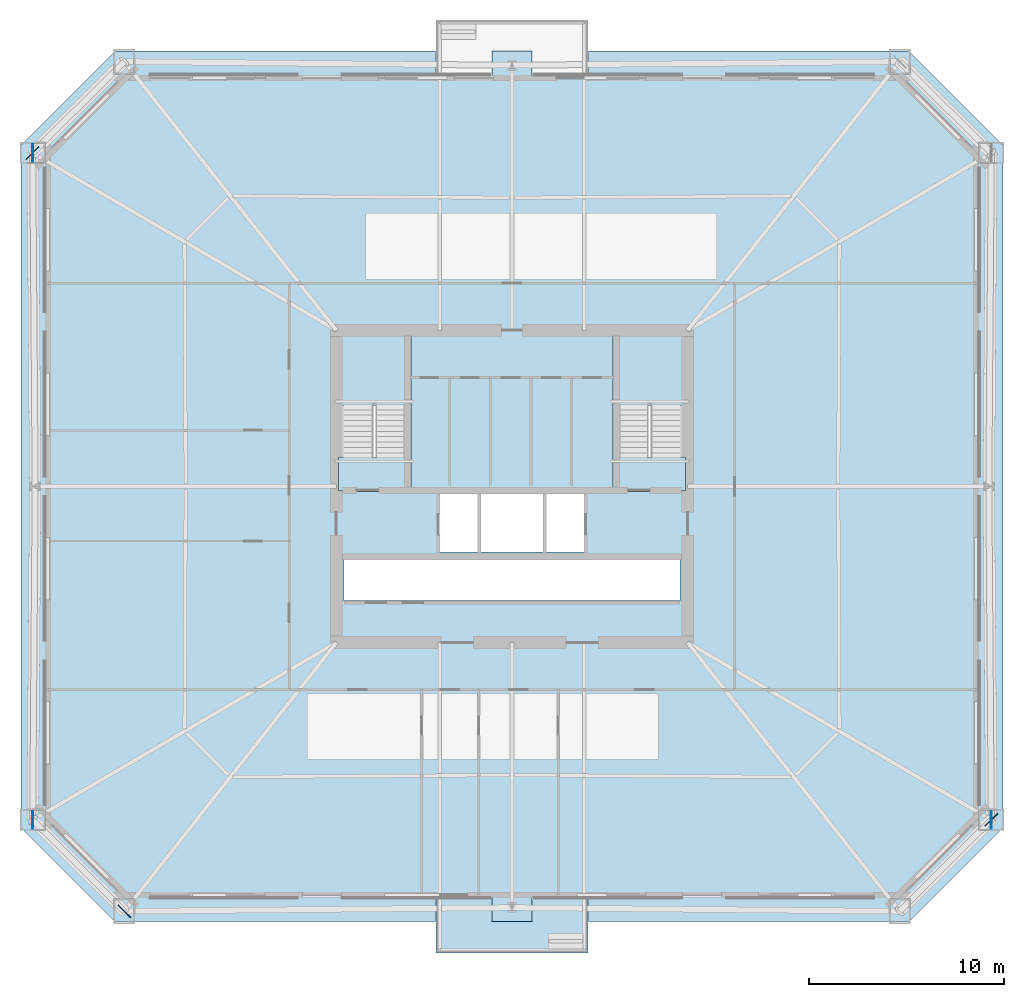
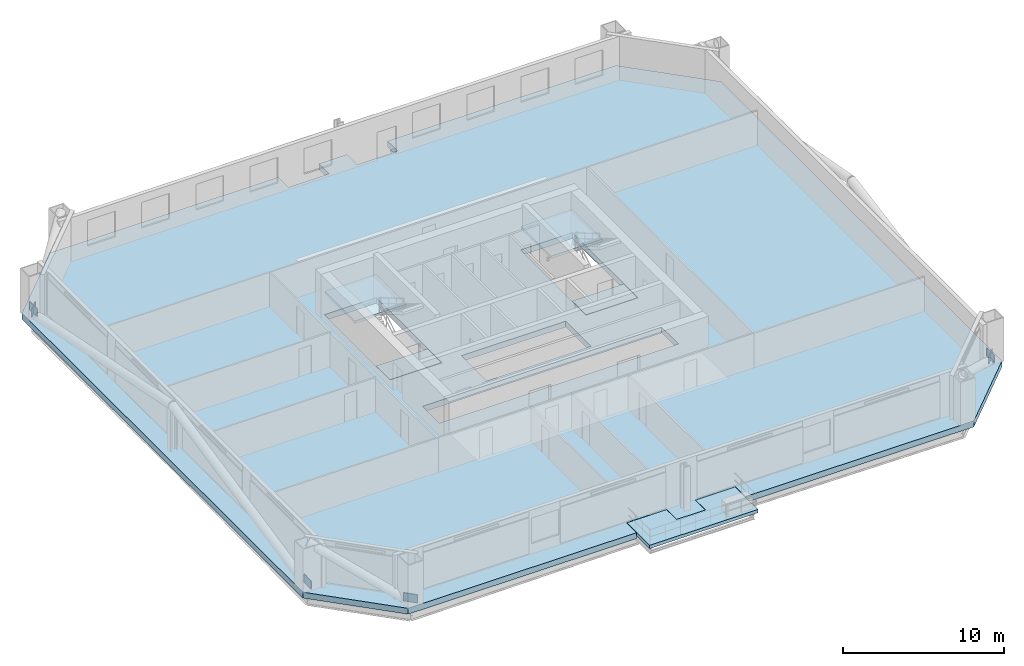
# One storey, part 2 of 7: 6 plates, 6 slabs, 2 elements without a shape of their own.
"""IFC4 building model written with IfcOpenShell, lengths in metres."""

from ifc_helpers import new_model, si_unit, direction, frame, origin, origin_2d, place, context, subcontext, project, spatial, polyline, rectangle, outline, extrude, material, layer, layer_set, type_object, element, aggregate, save


model = new_model("IFC4")

# Units and contexts
model_context = context("Model", 3, precision=1e-05, world=origin(), true_north=direction((0.0, 1.0)))
body_context = subcontext(model_context, "Body", "Model", "MODEL_VIEW")
ifc_project = project(units=[si_unit("LENGTHUNIT", "METRE"), si_unit("AREAUNIT", "SQUARE_METRE"), si_unit("VOLUMEUNIT", "CUBIC_METRE"), si_unit("PLANEANGLEUNIT", "RADIAN"), si_unit("MASSUNIT", "GRAM", prefix="KILO")], contexts=[model_context])

# Site, building, storey
site_placement = place(None, origin())
site = spatial("IfcSite", under=ifc_project, at=site_placement, CompositionType="ELEMENT")
building_placement = place(site_placement, origin())
building = spatial("IfcBuilding", under=site, at=building_placement, Name="Caelvoria Tower", CompositionType="ELEMENT")
storey_placement = place(building_placement, frame((0.0, 0.0, 38.800048828125)))
storey = spatial("IfcBuildingStorey", under=building, at=storey_placement, Name="L09", CompositionType="ELEMENT", Elevation=38.800048828125)

# Plates
ifc_material_1 = material(Name="Structural Steel ASTM A572 Gr.50", Category="steel")
ifc_layer_1 = layer(ifc_material_1, 0.0400390625, Name="Structural Steel ASTM A572 Gr.50")
ifc_layer_set_1 = layer_set([ifc_layer_1], Name="Megaframe Node Gusset Plate 900x600x40 - Structural Steel ASTM A572 Gr.50")
plate_type = type_object("IfcPlateType", Name="Megaframe Node Gusset Plate 900x600x40", PredefinedType="USERDEFINED", material=ifc_layer_set_1)
for number, where, z_axis, x_axis, name in (
    (1, (70.55908203125, 14.9111328125, 0.02001953125), (0.0, 0.0, 1.0), (-0.708230183111, -0.705981591638, 0.0), "Chamfer Mega Brace Gusset L09 SE"),
    (2, (21.44091796875, 49.0888671875, 0.02001953125), (0.0, 0.0, 1.0), (0.708230183111, 0.705981591638, 0.0), "Chamfer Mega Brace Gusset L09 NW"),
    (3, (26.13525390625, 10.231689453125, 0.02001953125), (0.0, 0.0, 1.0), (-0.708230183111, 0.705981591638, 0.0), "Chamfer Mega Brace Gusset L09 SW"),
    (4, (70.55908203125, 14.9111328125, 0.0498046875), (0.0, 0.0, 1.0), (-0.007548477328, 0.999971509839, 0.0), "Megaframe Node Gusset Plate ND-04"),
    (5, (21.44091796875, 49.0888671875, 0.0498046875), (0.0, 0.0, 1.0), (0.007548477328, -0.999971509839, 0.0), "Megaframe Node Gusset Plate ND-04"),
    (6, (21.44091796875, 14.9111328125, 0.0498046875), (0.0, 0.0, 1.0), (0.007548477328, 0.999971509839, 0.0), "Megaframe Node Gusset Plate ND-04"),
):
    element("IfcPlate", number, at=place(storey_placement, frame(where, z_axis=z_axis, x_axis=x_axis)), inside=storey, type_object=plate_type, Name=name, ObjectType="GUSSET_PLATE", PredefinedType="USERDEFINED", context=body_context, shape_type="SweptSolid", body=[
        extrude(rectangle(XDim=0.89990234375, YDim=0.0400390625, at=origin_2d()), origin(), (0.0, 0.0, 1.0), 0.60009765625),
    ])

# Slab
ifc_material_2 = material(Name="Concrete C50/60", Category="concrete")
ifc_layer_2 = layer(ifc_material_2, 0.449951171875, Name="Concrete C50/60")
ifc_layer_set_2 = layer_set([ifc_layer_2], Name="Podium Transfer Deck Slab 450 - Concrete C50/60")
slab_type_1 = type_object("IfcSlabType", Name="Podium Transfer Deck Slab 450", PredefinedType="FLOOR", material=ifc_layer_set_2)
slab_1_placement = place(storey_placement, frame((0.0, 0.0, -0.449951171875)))
element("IfcSlab", 7, at=slab_1_placement, inside=storey, type_object=slab_type_1, Name="Level L09 Structural Floor Slab", PredefinedType="FLOOR", context=body_context, shape_type="SweptSolid", body=[
    extrude(outline(polyline([(20.85009765625, 49.5), (20.85009765625, 14.5), (25.64990234375, 9.699951171875), (42.080078125, 9.699951171875), (42.080078125, 10.9599609375), (44.97998046875, 10.9599609375), (44.97998046875, 9.699951171875), (47.02001953125, 9.699951171875), (47.02001953125, 10.9599609375), (49.919921875, 10.9599609375), (49.919921875, 9.699951171875), (66.35009765625, 9.699951171875), (71.14990234375, 14.5), (71.14990234375, 49.5), (66.35009765625, 54.300048828125), (49.919921875, 54.300048828125), (49.919921875, 53.0400390625), (47.02001953125, 53.0400390625), (47.02001953125, 54.300048828125), (44.97998046875, 54.300048828125), (44.97998046875, 53.0400390625), (42.080078125, 53.0400390625), (42.080078125, 54.300048828125), (25.64990234375, 54.300048828125), (20.85009765625, 49.5)]), holes=[polyline([(37.080078125, 31.75), (40.820068359375, 31.75), (40.820068359375, 39.919921875), (37.080078125, 39.919921875), (37.080078125, 31.75)]), polyline([(51.179931640625, 31.75), (54.919921875, 31.75), (54.919921875, 39.919921875), (51.179931640625, 39.919921875), (51.179931640625, 31.75)]), polyline([(42.25, 28.64990234375), (49.75, 28.64990234375), (49.75, 31.800048828125), (42.25, 31.800048828125), (42.25, 28.64990234375)]), polyline([(37.39990234375, 26.14990234375), (54.60009765625, 26.14990234375), (54.60009765625, 28.25), (37.39990234375, 28.25), (37.39990234375, 26.14990234375)])]), origin(), (0.0, 0.0, 1.0), 0.449951171875),
])

# Stair, slabs
ifc_material_3 = material(Name="Concrete C40/50", Category="concrete")
stair_type = type_object("IfcStairType", Name="Core Smokeproof Dogleg Stair Concrete C40/50", PredefinedType="HALF_TURN_STAIR", material=ifc_material_3)
stair_1_placement = place(storey_placement, origin())
stair_1 = element("IfcStair", 8, at=stair_1_placement, inside=storey, type_object=stair_type, Name="ST-01 Smokeproof Exit Stair L09", PredefinedType="HALF_TURN_STAIR")
ifc_layer_3 = layer(ifc_material_3, 0.199951171875, Name="Concrete C40/50")
ifc_layer_set_3 = layer_set([ifc_layer_3], Name="Stair Half and Floor Landing Slab 200 Concrete C40/50 - Concrete C40/50")
slab_type_2 = type_object("IfcSlabType", Name="Stair Half and Floor Landing Slab 200 Concrete C40/50", PredefinedType="LANDING", material=ifc_layer_set_3)
slab_2_placement = place(storey_placement, frame((0.0, 0.0, -0.199951171875)))
slab_2 = element("IfcSlab", 9, at=slab_2_placement, type_object=slab_type_2, Name="ST-01 landing 1", PredefinedType="LANDING", context=body_context, shape_type="SweptSolid", body=[
    extrude(outline(polyline([(37.10009765625, 31.77001953125), (40.800048828125, 31.77001953125), (40.800048828125, 33.5), (37.10009765625, 33.5), (37.10009765625, 31.77001953125)])), origin(), (0.0, 0.0, 1.0), 0.199951171875),
])
slab_3_placement = place(storey_placement, frame((0.0, 0.0, 1.599853515625)))
slab_3 = element("IfcSlab", 10, at=slab_3_placement, type_object=slab_type_2, Name="ST-01 landing 2", PredefinedType="LANDING", context=body_context, shape_type="SweptSolid", body=[
    extrude(outline(polyline([(37.10009765625, 36.14990234375), (40.800048828125, 36.14990234375), (40.800048828125, 39.89990234375), (37.10009765625, 39.89990234375), (37.10009765625, 36.14990234375)])), origin(), (0.0, 0.0, 1.0), 0.2001953125),
])
aggregate(stair_1, [slab_2, slab_3])

stair_2_placement = place(storey_placement, origin())
stair_2 = element("IfcStair", 11, at=stair_2_placement, inside=storey, type_object=stair_type, Name="ST-02 Smokeproof Exit Stair L09", PredefinedType="HALF_TURN_STAIR")
slab_4_placement = place(storey_placement, frame((0.0, 0.0, -0.199951171875)))
slab_4 = element("IfcSlab", 12, at=slab_4_placement, type_object=slab_type_2, Name="ST-02 landing 1", PredefinedType="LANDING", context=body_context, shape_type="SweptSolid", body=[
    extrude(outline(polyline([(51.199951171875, 31.77001953125), (54.89990234375, 31.77001953125), (54.89990234375, 33.5), (51.199951171875, 33.5), (51.199951171875, 31.77001953125)])), origin(), (0.0, 0.0, 1.0), 0.199951171875),
])
slab_5_placement = place(storey_placement, frame((0.0, 0.0, 1.599853515625)))
slab_5 = element("IfcSlab", 13, at=slab_5_placement, type_object=slab_type_2, Name="ST-02 landing 2", PredefinedType="LANDING", context=body_context, shape_type="SweptSolid", body=[
    extrude(outline(polyline([(51.199951171875, 36.14990234375), (54.89990234375, 36.14990234375), (54.89990234375, 39.89990234375), (51.199951171875, 39.89990234375), (51.199951171875, 36.14990234375)])), origin(), (0.0, 0.0, 1.0), 0.2001953125),
])
aggregate(stair_2, [slab_4, slab_5])

# Slab
ifc_material_4 = material(Name="Concrete C45/55", Category="concrete")
ifc_layer_4 = layer(ifc_material_4, 0.25, Name="Concrete C45/55")
ifc_layer_set_4 = layer_set([ifc_layer_4], Name="Tree Balcony Structural Planter Slab 250 - Concrete C45/55")
slab_type_3 = type_object("IfcSlabType", Name="Tree Balcony Structural Planter Slab 250", PredefinedType="FLOOR", material=ifc_layer_set_4)
slab_6_placement = place(storey_placement, frame((0.0, 0.0, -0.25)))
element("IfcSlab", 14, at=slab_6_placement, inside=storey, type_object=slab_type_3, Name="Tree Balcony Slab TB-L09-S", PredefinedType="FLOOR", context=body_context, shape_type="SweptSolid", body=[
    extrude(outline(polyline([(49.89990234375, 9.699951171875), (49.89990234375, 10.93994140625), (47.0400390625, 10.93994140625), (47.0400390625, 9.699951171875), (44.9599609375, 9.699951171875), (44.9599609375, 10.93994140625), (42.10009765625, 10.93994140625), (42.10009765625, 9.699951171875), (42.10009765625, 8.10009765625), (49.89990234375, 8.10009765625), (49.89990234375, 9.699951171875)])), origin(), (0.0, 0.0, 1.0), 0.25),
])

save(model, "model.ifc")
